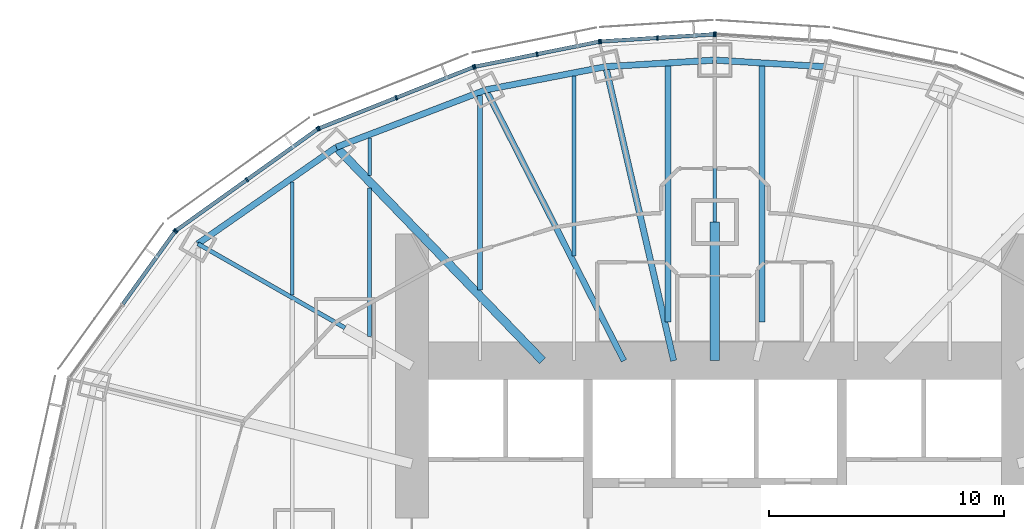
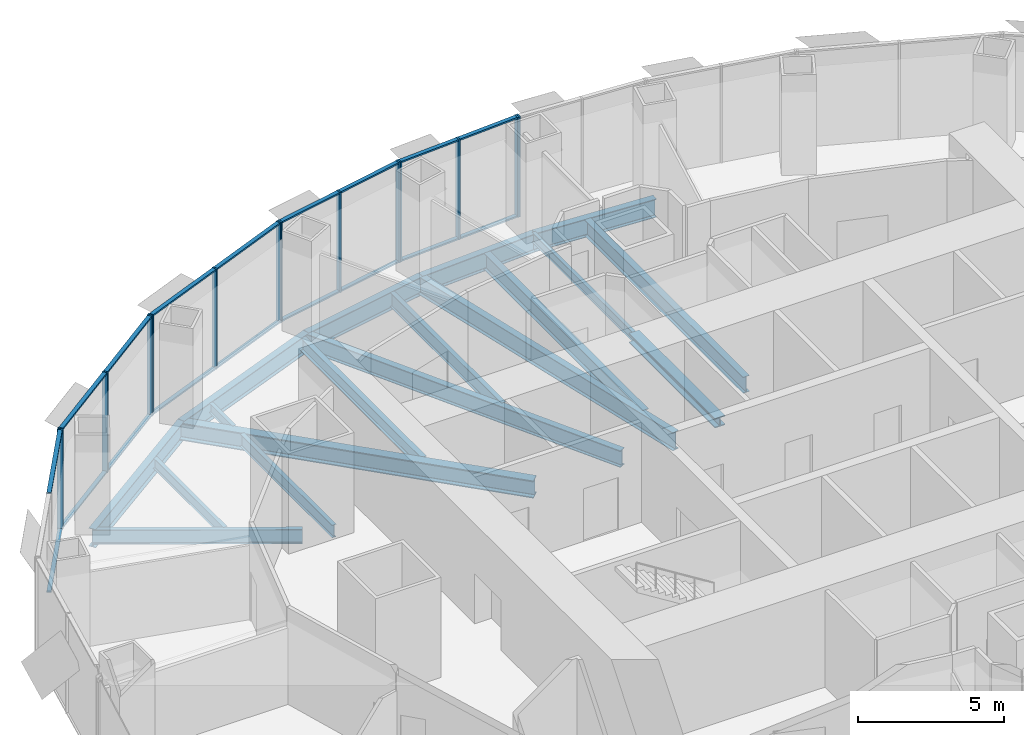
# One storey, part 7 of 17: 32 members, 18 beams, 6 elements without a shape of their own.
"""IFC4 building model written with IfcOpenShell, lengths in metres."""

from ifc_helpers import new_model, si_unit, direction, frame, origin, origin_2d, place, context, subcontext, project, spatial, rectangle, i_section, extrude, material, material_profile, profile_set, type_object, element, aggregate, save


model = new_model("IFC4")

# Units and contexts
model_context = context("Model", 3, precision=1e-05, world=origin(), true_north=direction((0.0, 1.0)))
body_context = subcontext(model_context, "Body", "Model", "MODEL_VIEW")
ifc_project = project(units=[si_unit("LENGTHUNIT", "METRE"), si_unit("AREAUNIT", "SQUARE_METRE"), si_unit("VOLUMEUNIT", "CUBIC_METRE"), si_unit("PLANEANGLEUNIT", "RADIAN"), si_unit("MASSUNIT", "GRAM", prefix="KILO")], contexts=[model_context])

# Site, building, storey
site_placement = place(None, origin())
site = spatial("IfcSite", under=ifc_project, at=site_placement, CompositionType="ELEMENT")
building_placement = place(site_placement, origin())
building = spatial("IfcBuilding", under=site, at=building_placement, Name="Lantaw Convention Tower", CompositionType="ELEMENT")
storey_placement = place(building_placement, frame((0.0, 0.0, 159.39990234375)))
storey = spatial("IfcBuildingStorey", under=building, at=storey_placement, Name="L37", CompositionType="ELEMENT", Elevation=159.39990234375)

# Beams
ifc_material_1 = material(Name="Steel ASTM A992", Category="steel")
ifc_material_profile_1 = material_profile(ifc_material_1, i_section(OverallWidth=0.2666015625, OverallDepth=0.76953125, WebThickness=0.015625, FlangeThickness=0.025390625, FilletRadius=0.0126953125, at=origin_2d()), Name="W30X132")
ifc_profile_set_1 = profile_set([ifc_material_profile_1], Name="Steel ASTM A992")
beam_type_1 = type_object("IfcBeamType", Name="Beam E W30X132", PredefinedType="SPANDREL", material=ifc_profile_set_1)
for number, where, z_axis, x_axis, name in (
    (1, (4.64501953125, 20.1201171875, -0.53466796875), (-0.998190892054, 0.06012439621, 0.0), (-0.06012439621, -0.998190892054, 0.0), "Edge beam 6"),
    (2, (0.0, 20.39990234375, -0.53466796875), (-0.998190892054, -0.06012439621, 0.0), (0.06012439621, -0.998190892054, 0.0), "Edge beam 7"),
):
    element("IfcBeam", number, at=place(storey_placement, frame(where, z_axis=z_axis, x_axis=x_axis)), inside=storey, type_object=beam_type_1, Name=name, PredefinedType="SPANDREL", context=body_context, shape_type="SweptSolid", body=[
        extrude(i_section(OverallWidth=0.2666015625, OverallDepth=0.76953125, WebThickness=0.015625, FlangeThickness=0.025390625, FilletRadius=0.0126953125, at=origin_2d()), origin(), (0.0, 0.0, 1.0), 4.6533203125),
    ])
beam_1_placement = place(storey_placement, frame((-4.64501953125, 20.1201171875, -0.53466796875), z_axis=(-0.981796805654, -0.189934284446, 0.0), x_axis=(0.189934284446, -0.981796805654, 0.0)))
element("IfcBeam", 3, at=beam_1_placement, inside=storey, type_object=beam_type_1, Name="Edge beam 8", PredefinedType="SPANDREL", context=body_context, shape_type="SweptSolid", body=[
    extrude(i_section(OverallWidth=0.2666015625, OverallDepth=0.76953125, WebThickness=0.015625, FlangeThickness=0.025390625, FilletRadius=0.0126953125, at=origin_2d()), origin(), (0.0, 0.0, 1.0), 5.1982421875),
])
beam_2_placement = place(storey_placement, frame((-9.74853515625, 19.1328125, -0.53466796875), z_axis=(-0.933691081977, -0.358079549033, 0.0), x_axis=(0.358079549033, -0.933691081977, 0.0)))
element("IfcBeam", 4, at=beam_2_placement, inside=storey, type_object=beam_type_1, Name="Edge beam 9", PredefinedType="SPANDREL", context=body_context, shape_type="SweptSolid", body=[
    extrude(i_section(OverallWidth=0.2666015625, OverallDepth=0.76953125, WebThickness=0.015625, FlangeThickness=0.025390625, FilletRadius=0.0126953125, at=origin_2d()), origin(), (0.0, 0.0, 1.0), 6.821533203125),
])
beam_3_placement = place(storey_placement, frame((-16.11767578125, 16.690185546875, -0.53466796875), z_axis=(-0.820310765287, -0.57191804339, 0.0), x_axis=(0.57191804339, -0.820310765287, 0.0)))
element("IfcBeam", 5, at=beam_3_placement, inside=storey, type_object=beam_type_1, Name="Edge beam 10", PredefinedType="SPANDREL", context=body_context, shape_type="SweptSolid", body=[
    extrude(i_section(OverallWidth=0.2666015625, OverallDepth=0.76953125, WebThickness=0.015625, FlangeThickness=0.025390625, FilletRadius=0.0126953125, at=origin_2d()), origin(), (0.0, 0.0, 1.0), 7.187744140625),
])
ifc_material_profile_2 = material_profile(ifc_material_1, i_section(OverallWidth=0.140380859375, OverallDepth=0.40380859375, WebThickness=0.007080078125, FlangeThickness=0.01123046875, FilletRadius=0.01025390625, at=origin_2d()), Name="W16X31")
ifc_profile_set_2 = profile_set([ifc_material_profile_2], Name="Steel ASTM A992")
beam_type_2 = type_object("IfcBeamType", Name="Beam G W16X31", PredefinedType="BEAM", material=ifc_profile_set_2)
beam_4_placement = place(storey_placement, frame((0.0, 13.5, -0.351806640625), z_axis=(0.0, 1.0, 0.0), x_axis=(-1.0, 0.0, 0.0)))
element("IfcBeam", 6, at=beam_4_placement, inside=storey, type_object=beam_type_2, Name="Floor girder on ray 7", PredefinedType="BEAM", context=body_context, shape_type="SweptSolid", body=[
    extrude(i_section(OverallWidth=0.140380859375, OverallDepth=0.40380859375, WebThickness=0.007080078125, FlangeThickness=0.01123046875, FilletRadius=0.01025390625, at=origin_2d()), origin(), (0.0, 0.0, 1.0), 6.89990234375),
])
ifc_material_profile_3 = material_profile(ifc_material_1, i_section(OverallWidth=0.177978515625, OverallDepth=0.599365234375, WebThickness=0.010009765625, FlangeThickness=0.012939453125, FilletRadius=0.012939453125, at=origin_2d()), Name="W24X55")
ifc_profile_set_3 = profile_set([ifc_material_profile_3], Name="Steel ASTM A992")
beam_type_3 = type_object("IfcBeamType", Name="Beam G W24X55", PredefinedType="BEAM", material=ifc_profile_set_3)
beam_5_placement = place(storey_placement, frame((-15.75, 9.0, -0.44970703125), z_axis=(-0.868245224608, 0.496135293993, 0.0), x_axis=(-0.496135293993, -0.868245224608, 0.0)))
element("IfcBeam", 7, at=beam_5_placement, inside=storey, type_object=beam_type_3, Name="Floor girder on ray 11", PredefinedType="BEAM", context=body_context, shape_type="SweptSolid", body=[
    extrude(i_section(OverallWidth=0.177978515625, OverallDepth=0.599365234375, WebThickness=0.010009765625, FlangeThickness=0.012939453125, FilletRadius=0.012939453125, at=origin_2d()), origin(), (0.0, 0.0, 1.0), 7.21435546875),
])
ifc_material_profile_4 = material_profile(ifc_material_1, i_section(OverallWidth=0.25390625, OverallDepth=0.700927734375, WebThickness=0.015380859375, FlangeThickness=0.02783203125, FilletRadius=0.01513671875, at=origin_2d()), Name="W27X129")
ifc_profile_set_4 = profile_set([ifc_material_profile_4], Name="Steel ASTM A992")
beam_type_4 = type_object("IfcBeamType", Name="Beam G W27X129", PredefinedType="BEAM", material=ifc_profile_set_4)
beam_6_placement = place(storey_placement, frame((-3.872314453125, 7.60009765625, -0.50048828125), z_axis=(-0.453991051051, 0.891006243281, 0.0), x_axis=(-0.891006243281, -0.453991051051, 0.0)))
element("IfcBeam", 8, at=beam_6_placement, inside=storey, type_object=beam_type_4, Name="Floor girder on ray 9", PredefinedType="BEAM", context=body_context, shape_type="SweptSolid", body=[
    extrude(i_section(OverallWidth=0.25390625, OverallDepth=0.700927734375, WebThickness=0.015380859375, FlangeThickness=0.02783203125, FilletRadius=0.01513671875, at=origin_2d()), origin(), (0.0, 0.0, 1.0), 12.943359375),
])
ifc_material_profile_5 = material_profile(ifc_material_1, i_section(OverallWidth=0.360595703125, OverallDepth=0.72900390625, WebThickness=0.023193359375, FlangeThickness=0.041015625, FilletRadius=0.0126953125, at=origin_2d()), Name="W27X235")
ifc_profile_set_5 = profile_set([ifc_material_profile_5], Name="Steel ASTM A992")
beam_type_5 = type_object("IfcBeamType", Name="Beam G W27X235", PredefinedType="BEAM", material=ifc_profile_set_5)
beam_7_placement = place(storey_placement, frame((-7.33935546875, 7.60009765625, -0.514404296875), z_axis=(-0.694663467407, 0.719334878239, 0.0), x_axis=(-0.719334878239, -0.694663467407, 0.0)))
element("IfcBeam", 9, at=beam_7_placement, inside=storey, type_object=beam_type_5, Name="Floor girder on ray 10", PredefinedType="BEAM", context=body_context, shape_type="SweptSolid", body=[
    extrude(i_section(OverallWidth=0.360595703125, OverallDepth=0.72900390625, WebThickness=0.023193359375, FlangeThickness=0.041015625, FilletRadius=0.0126953125, at=origin_2d()), origin(), (0.0, 0.0, 1.0), 12.63671875),
])
ifc_material_profile_6 = material_profile(ifc_material_1, i_section(OverallWidth=0.2666015625, OverallDepth=0.7568359375, WebThickness=0.013916015625, FlangeThickness=0.019287109375, FilletRadius=0.0126953125, at=origin_2d()), Name="W30X108")
ifc_profile_set_6 = profile_set([ifc_material_profile_6], Name="Steel ASTM A992")
beam_type_6 = type_object("IfcBeamType", Name="Beam G W30X108", PredefinedType="BEAM", material=ifc_profile_set_6)
beam_8_placement = place(storey_placement, frame((-1.754638671875, 7.60009765625, -0.5283203125), z_axis=(-0.224944153104, 0.974371658036, 0.0), x_axis=(-0.974371658036, -0.224944153104, 0.0)))
element("IfcBeam", 10, at=beam_8_placement, inside=storey, type_object=beam_type_6, Name="Floor girder on ray 8", PredefinedType="BEAM", context=body_context, shape_type="SweptSolid", body=[
    extrude(i_section(OverallWidth=0.2666015625, OverallDepth=0.7568359375, WebThickness=0.013916015625, FlangeThickness=0.019287109375, FilletRadius=0.0126953125, at=origin_2d()), origin(), (0.0, 0.0, 1.0), 12.849365234375),
])
ifc_material_profile_7 = material_profile(ifc_material_1, i_section(OverallWidth=0.40380859375, OverallDepth=0.406494140625, WebThickness=0.027099609375, FlangeThickness=0.043701171875, FilletRadius=0.01513671875, at=origin_2d()), Name="W14X233")
ifc_profile_set_7 = profile_set([ifc_material_profile_7], Name="Steel ASTM A992")
beam_type_7 = type_object("IfcBeamType", Name="Beam GM W14X233", PredefinedType="BEAM", material=ifc_profile_set_7)
beam_9_placement = place(storey_placement, frame((0.0, 7.60009765625, -0.35302734375), z_axis=(0.0, 1.0, 0.0), x_axis=(-1.0, 0.0, 0.0)))
element("IfcBeam", 11, at=beam_9_placement, inside=storey, type_object=beam_type_7, Name="Core link beam on ray 7", PredefinedType="BEAM", context=body_context, shape_type="SweptSolid", body=[
    extrude(i_section(OverallWidth=0.40380859375, OverallDepth=0.406494140625, WebThickness=0.027099609375, FlangeThickness=0.043701171875, FilletRadius=0.01513671875, at=origin_2d()), origin(), (0.0, 0.0, 1.0), 5.89990234375),
])
ifc_material_profile_8 = material_profile(ifc_material_1, i_section(OverallWidth=0.140380859375, OverallDepth=0.40380859375, WebThickness=0.007080078125, FlangeThickness=0.01123046875, FilletRadius=0.01025390625, at=origin_2d()), Name="W16X31")
ifc_profile_set_8 = profile_set([ifc_material_profile_8], Name="Steel ASTM A992")
beam_type_8 = type_object("IfcBeamType", Name="Beam J W16X31", PredefinedType="JOIST", material=ifc_profile_set_8)
beam_10_placement = place(storey_placement, frame((-14.699951171875, 15.48193359375, -0.351806640625), z_axis=(0.0, 1.0, 0.0), x_axis=(-1.0, 0.0, 0.0)))
element("IfcBeam", 12, at=beam_10_placement, inside=storey, type_object=beam_type_8, Name="Floor joist", PredefinedType="JOIST", context=body_context, shape_type="SweptSolid", body=[
    extrude(i_section(OverallWidth=0.140380859375, OverallDepth=0.40380859375, WebThickness=0.007080078125, FlangeThickness=0.01123046875, FilletRadius=0.01025390625, at=origin_2d()), origin(), (0.0, 0.0, 1.0), 1.609130859375),
])
ifc_material_profile_9 = material_profile(ifc_material_1, i_section(OverallWidth=0.15234375, OverallDepth=0.449462890625, WebThickness=0.007568359375, FlangeThickness=0.0107421875, FilletRadius=0.01025390625, at=origin_2d()), Name="W18X35")
ifc_profile_set_9 = profile_set([ifc_material_profile_9], Name="Steel ASTM A992")
beam_type_9 = type_object("IfcBeamType", Name="Beam J W18X35", PredefinedType="JOIST", material=ifc_profile_set_9)
beam_11_placement = place(storey_placement, frame((-18.0, 10.38818359375, -0.374755859375), z_axis=(0.0, 1.0, 0.0), x_axis=(-1.0, 0.0, 0.0)))
element("IfcBeam", 13, at=beam_11_placement, inside=storey, type_object=beam_type_9, Name="Floor joist", PredefinedType="JOIST", context=body_context, shape_type="SweptSolid", body=[
    extrude(i_section(OverallWidth=0.15234375, OverallDepth=0.449462890625, WebThickness=0.007568359375, FlangeThickness=0.0107421875, FilletRadius=0.01025390625, at=origin_2d()), origin(), (0.0, 0.0, 1.0), 4.8271484375),
])
ifc_material_profile_10 = material_profile(ifc_material_1, i_section(OverallWidth=0.1650390625, OverallDepth=0.52587890625, WebThickness=0.0087890625, FlangeThickness=0.011474609375, FilletRadius=0.0126953125, at=origin_2d()), Name="W21X44")
ifc_profile_set_10 = profile_set([ifc_material_profile_10], Name="Steel ASTM A992")
beam_type_10 = type_object("IfcBeamType", Name="Beam J W21X44", PredefinedType="JOIST", material=ifc_profile_set_10)
beam_12_placement = place(storey_placement, frame((-14.699951171875, 8.632568359375, -0.412841796875), z_axis=(0.0, 1.0, 0.0), x_axis=(-1.0, 0.0, 0.0)))
element("IfcBeam", 14, at=beam_12_placement, inside=storey, type_object=beam_type_10, Name="Floor joist", PredefinedType="JOIST", context=body_context, shape_type="SweptSolid", body=[
    extrude(i_section(OverallWidth=0.1650390625, OverallDepth=0.52587890625, WebThickness=0.0087890625, FlangeThickness=0.011474609375, FilletRadius=0.0126953125, at=origin_2d()), origin(), (0.0, 0.0, 1.0), 6.330078125),
])
ifc_material_profile_11 = material_profile(ifc_material_1, i_section(OverallWidth=0.2099609375, OverallDepth=0.535888671875, WebThickness=0.010986328125, FlangeThickness=0.017333984375, FilletRadius=0.012939453125, at=origin_2d()), Name="W21X68")
ifc_profile_set_11 = profile_set([ifc_material_profile_11], Name="Steel ASTM A992")
beam_type_11 = type_object("IfcBeamType", Name="Beam J W21X68", PredefinedType="JOIST", material=ifc_profile_set_11)
beam_13_placement = place(storey_placement, frame((-10.0, 10.614990234375, -0.41796875), z_axis=(0.0, 1.0, 0.0), x_axis=(-1.0, 0.0, 0.0)))
element("IfcBeam", 15, at=beam_13_placement, inside=storey, type_object=beam_type_11, Name="Floor joist", PredefinedType="JOIST", context=body_context, shape_type="SweptSolid", body=[
    extrude(i_section(OverallWidth=0.2099609375, OverallDepth=0.535888671875, WebThickness=0.010986328125, FlangeThickness=0.017333984375, FilletRadius=0.012939453125, at=origin_2d()), origin(), (0.0, 0.0, 1.0), 8.278564453125),
])
ifc_material_profile_12 = material_profile(ifc_material_1, i_section(OverallWidth=0.177978515625, OverallDepth=0.599365234375, WebThickness=0.010009765625, FlangeThickness=0.012939453125, FilletRadius=0.012939453125, at=origin_2d()), Name="W24X55")
ifc_profile_set_12 = profile_set([ifc_material_profile_12], Name="Steel ASTM A992")
beam_type_12 = type_object("IfcBeamType", Name="Beam J W24X55", PredefinedType="JOIST", material=ifc_profile_set_12)
beam_14_placement = place(storey_placement, frame((-6.0, 12.055419921875, -0.44970703125), z_axis=(0.0, 1.0, 0.0), x_axis=(-1.0, 0.0, 0.0)))
element("IfcBeam", 16, at=beam_14_placement, inside=storey, type_object=beam_type_12, Name="Floor joist", PredefinedType="JOIST", context=body_context, shape_type="SweptSolid", body=[
    extrude(i_section(OverallWidth=0.177978515625, OverallDepth=0.599365234375, WebThickness=0.010009765625, FlangeThickness=0.012939453125, FilletRadius=0.012939453125, at=origin_2d()), origin(), (0.0, 0.0, 1.0), 7.666748046875),
])
ifc_material_profile_13 = material_profile(ifc_material_1, i_section(OverallWidth=0.25390625, OverallDepth=0.683349609375, WebThickness=0.012451171875, FlangeThickness=0.01904296875, FilletRadius=0.01513671875, at=origin_2d()), Name="W27X94")
ifc_profile_set_13 = profile_set([ifc_material_profile_13], Name="Steel ASTM A992")
beam_type_13 = type_object("IfcBeamType", Name="Beam J W27X94", PredefinedType="JOIST", material=ifc_profile_set_13)
for number, where, z_axis, x_axis, name in (
    (17, (-2.0, 9.255859375, -0.491455078125), (0.0, 1.0, 0.0), (-1.0, 0.0, 0.0), "Floor joist"),
    (18, (2.0, 9.255859375, -0.491455078125), (0.0, 1.0, 0.0), (-1.0, 0.0, 0.0), "Floor joist"),
):
    element("IfcBeam", number, at=place(storey_placement, frame(where, z_axis=z_axis, x_axis=x_axis)), inside=storey, type_object=beam_type_13, Name=name, PredefinedType="JOIST", context=body_context, shape_type="SweptSolid", body=[
        extrude(i_section(OverallWidth=0.25390625, OverallDepth=0.683349609375, WebThickness=0.012451171875, FlangeThickness=0.01904296875, FilletRadius=0.01513671875, at=origin_2d()), origin(), (0.0, 0.0, 1.0), 10.889892578125),
    ])

# Curtain wall, member
ifc_material_2 = material(Name="Aluminium framed curtain wall", Category="aluminium")
curtain_wall_type = type_object("IfcCurtainWallType", Name="Office curtain wall low rise, pale aluminium", PredefinedType="USERDEFINED", material=ifc_material_2)
curtain_wall_1_placement = place(storey_placement, origin())
curtain_wall_1 = element("IfcCurtainWall", 19, at=curtain_wall_1_placement, inside=storey, type_object=curtain_wall_type, Name="Office curtain wall low rise, pale aluminium L37", ObjectType="UNITISED CURTAIN WALL", PredefinedType="USERDEFINED")
ifc_material_3 = material(Name="Aluminium 6063-T6", Category="aluminium")
ifc_material_profile_14 = material_profile(ifc_material_3, rectangle(XDim=0.199951171875, YDim=0.06494140625, at=origin_2d()), Name="CW-O1 mullion 65x200")
ifc_profile_set_14 = profile_set([ifc_material_profile_14], Name="Aluminium 6063-T6")
member_type_1 = type_object("IfcMemberType", Name="CW-O1 mullion 65x200", PredefinedType="MULLION", material=ifc_profile_set_14)
member_1_placement = place(storey_placement, frame((0.032470703125, 21.498046875, -0.14990234375), z_axis=(0.0, 0.0, 1.0), x_axis=(-0.062865059466, -0.998022035978, 0.0)))
member_1 = element("IfcMember", 20, at=member_1_placement, type_object=member_type_1, Name="CW-O1 mullion 3", PredefinedType="MULLION", context=body_context, shape_type="SweptSolid", body=[
    extrude(rectangle(XDim=0.199951171875, YDim=0.06494140625, at=origin_2d()), origin(), (0.0, 0.0, 1.0), 4.199951171875),
])
aggregate(curtain_wall_1, [member_1])

# Curtain wall, members
curtain_wall_2_placement = place(storey_placement, origin())
curtain_wall_2 = element("IfcCurtainWall", 21, at=curtain_wall_2_placement, inside=storey, type_object=curtain_wall_type, Name="Office curtain wall low rise, pale aluminium L37", ObjectType="UNITISED CURTAIN WALL", PredefinedType="USERDEFINED")
member_2_placement = place(storey_placement, frame((-0.032470703125, 21.498046875, -0.14990234375), z_axis=(0.0, 0.0, 1.0), x_axis=(0.062865059466, -0.998022035978, 0.0)))
member_2 = element("IfcMember", 22, at=member_2_placement, type_object=member_type_1, Name="CW-O1 mullion 1", PredefinedType="MULLION", context=body_context, shape_type="SweptSolid", body=[
    extrude(rectangle(XDim=0.199951171875, YDim=0.06494140625, at=origin_2d()), origin(), (0.0, 0.0, 1.0), 4.199951171875),
])
member_3_placement = place(storey_placement, frame((-2.4462890625, 21.345947265625, -0.14990234375), z_axis=(0.0, 0.0, 1.0), x_axis=(0.062865059466, -0.998022035978, 0.0)))
member_3 = element("IfcMember", 23, at=member_3_placement, type_object=member_type_1, Name="CW-O1 mullion 2", PredefinedType="MULLION", context=body_context, shape_type="SweptSolid", body=[
    extrude(rectangle(XDim=0.199951171875, YDim=0.06494140625, at=origin_2d()), origin(), (0.0, 0.0, 1.0), 4.199951171875),
])
member_4_placement = place(storey_placement, frame((-4.860107421875, 21.19384765625, -0.14990234375), z_axis=(0.0, 0.0, 1.0), x_axis=(0.062865059466, -0.998022035978, 0.0)))
member_4 = element("IfcMember", 24, at=member_4_placement, type_object=member_type_1, Name="CW-O1 mullion 3", PredefinedType="MULLION", context=body_context, shape_type="SweptSolid", body=[
    extrude(rectangle(XDim=0.199951171875, YDim=0.06494140625, at=origin_2d()), origin(), (0.0, 0.0, 1.0), 4.199951171875),
])

curtain_wall_3_placement = place(storey_placement, origin())
curtain_wall_3 = element("IfcCurtainWall", 25, at=curtain_wall_3_placement, inside=storey, type_object=curtain_wall_type, Name="Office curtain wall low rise, pale aluminium L37", ObjectType="UNITISED CURTAIN WALL", PredefinedType="USERDEFINED")
member_5_placement = place(storey_placement, frame((-4.92431640625, 21.185302734375, -0.14990234375), z_axis=(0.0, 0.0, 1.0), x_axis=(0.197506809659, -0.980301514912, 0.0)))
member_5 = element("IfcMember", 26, at=member_5_placement, type_object=member_type_1, Name="CW-O1 mullion 1", PredefinedType="MULLION", context=body_context, shape_type="SweptSolid", body=[
    extrude(rectangle(XDim=0.199951171875, YDim=0.06494140625, at=origin_2d()), origin(), (0.0, 0.0, 1.0), 4.199951171875),
])
member_6_placement = place(storey_placement, frame((-7.5703125, 20.65234375, -0.14990234375), z_axis=(0.0, 0.0, 1.0), x_axis=(0.197506809659, -0.980301514912, 0.0)))
member_6 = element("IfcMember", 27, at=member_6_placement, type_object=member_type_1, Name="CW-O1 mullion 2", PredefinedType="MULLION", context=body_context, shape_type="SweptSolid", body=[
    extrude(rectangle(XDim=0.199951171875, YDim=0.06494140625, at=origin_2d()), origin(), (0.0, 0.0, 1.0), 4.199951171875),
])
member_7_placement = place(storey_placement, frame((-10.216064453125, 20.119140625, -0.14990234375), z_axis=(0.0, 0.0, 1.0), x_axis=(0.197506809659, -0.980301514912, 0.0)))
member_7 = element("IfcMember", 28, at=member_7_placement, type_object=member_type_1, Name="CW-O1 mullion 3", PredefinedType="MULLION", context=body_context, shape_type="SweptSolid", body=[
    extrude(rectangle(XDim=0.199951171875, YDim=0.06494140625, at=origin_2d()), origin(), (0.0, 0.0, 1.0), 4.199951171875),
])

curtain_wall_4_placement = place(storey_placement, origin())
curtain_wall_4 = element("IfcCurtainWall", 29, at=curtain_wall_4_placement, inside=storey, type_object=curtain_wall_type, Name="Office curtain wall low rise, pale aluminium L37", ObjectType="UNITISED CURTAIN WALL", PredefinedType="USERDEFINED")
member_8_placement = place(storey_placement, frame((-10.2783203125, 20.100830078125, -0.14990234375), z_axis=(0.0, 0.0, 1.0), x_axis=(0.368701907483, -0.929547687544, 0.0)))
member_8 = element("IfcMember", 30, at=member_8_placement, type_object=member_type_1, Name="CW-O1 mullion 1", PredefinedType="MULLION", context=body_context, shape_type="SweptSolid", body=[
    extrude(rectangle(XDim=0.199951171875, YDim=0.06494140625, at=origin_2d()), origin(), (0.0, 0.0, 1.0), 4.199951171875),
])
member_9_placement = place(storey_placement, frame((-13.56494140625, 18.797119140625, -0.14990234375), z_axis=(0.0, 0.0, 1.0), x_axis=(0.368701907483, -0.929547687544, 0.0)))
member_9 = element("IfcMember", 31, at=member_9_placement, type_object=member_type_1, Name="CW-O1 mullion 2", PredefinedType="MULLION", context=body_context, shape_type="SweptSolid", body=[
    extrude(rectangle(XDim=0.199951171875, YDim=0.06494140625, at=origin_2d()), origin(), (0.0, 0.0, 1.0), 4.199951171875),
])
member_10_placement = place(storey_placement, frame((-16.8515625, 17.49365234375, -0.14990234375), z_axis=(0.0, 0.0, 1.0), x_axis=(0.368701907483, -0.929547687544, 0.0)))
member_10 = element("IfcMember", 32, at=member_10_placement, type_object=member_type_1, Name="CW-O1 mullion 3", PredefinedType="MULLION", context=body_context, shape_type="SweptSolid", body=[
    extrude(rectangle(XDim=0.199951171875, YDim=0.06494140625, at=origin_2d()), origin(), (0.0, 0.0, 1.0), 4.199951171875),
])

curtain_wall_5_placement = place(storey_placement, origin())
curtain_wall_5 = element("IfcCurtainWall", 33, at=curtain_wall_5_placement, inside=storey, type_object=curtain_wall_type, Name="Office curtain wall low rise, pale aluminium L37", ObjectType="UNITISED CURTAIN WALL", PredefinedType="USERDEFINED")
member_11_placement = place(storey_placement, frame((-16.908203125, 17.462646484375, -0.14990234375), z_axis=(0.0, 0.0, 1.0), x_axis=(0.581972695693, -0.813208325995, 0.0)))
member_11 = element("IfcMember", 34, at=member_11_placement, type_object=member_type_1, Name="CW-O1 mullion 1", PredefinedType="MULLION", context=body_context, shape_type="SweptSolid", body=[
    extrude(rectangle(XDim=0.199951171875, YDim=0.06494140625, at=origin_2d()), origin(), (0.0, 0.0, 1.0), 4.199951171875),
])
member_12_placement = place(storey_placement, frame((-19.92529296875, 15.303466796875, -0.14990234375), z_axis=(0.0, 0.0, 1.0), x_axis=(0.581972695693, -0.813208325995, 0.0)))
member_12 = element("IfcMember", 35, at=member_12_placement, type_object=member_type_1, Name="CW-O1 mullion 2", PredefinedType="MULLION", context=body_context, shape_type="SweptSolid", body=[
    extrude(rectangle(XDim=0.199951171875, YDim=0.06494140625, at=origin_2d()), origin(), (0.0, 0.0, 1.0), 4.199951171875),
])
member_13_placement = place(storey_placement, frame((-22.942626953125, 13.14404296875, -0.14990234375), z_axis=(0.0, 0.0, 1.0), x_axis=(0.581972695693, -0.813208325995, 0.0)))
member_13 = element("IfcMember", 36, at=member_13_placement, type_object=member_type_1, Name="CW-O1 mullion 3", PredefinedType="MULLION", context=body_context, shape_type="SweptSolid", body=[
    extrude(rectangle(XDim=0.199951171875, YDim=0.06494140625, at=origin_2d()), origin(), (0.0, 0.0, 1.0), 4.199951171875),
])

# Curtain wall, member
curtain_wall_6_placement = place(storey_placement, origin())
curtain_wall_6 = element("IfcCurtainWall", 37, at=curtain_wall_6_placement, inside=storey, type_object=curtain_wall_type, Name="Office curtain wall low rise, pale aluminium L37", ObjectType="UNITISED CURTAIN WALL", PredefinedType="USERDEFINED")
member_14_placement = place(storey_placement, frame((-22.988037109375, 13.098876953125, -0.14990234375), z_axis=(0.0, 0.0, 1.0), x_axis=(0.811384633629, -0.584512597221, 0.0)))
member_14 = element("IfcMember", 38, at=member_14_placement, type_object=member_type_1, Name="CW-O1 mullion 1", PredefinedType="MULLION", context=body_context, shape_type="SweptSolid", body=[
    extrude(rectangle(XDim=0.199951171875, YDim=0.06494140625, at=origin_2d()), origin(), (0.0, 0.0, 1.0), 4.199951171875),
])

# Member
ifc_material_profile_15 = material_profile(ifc_material_3, rectangle(XDim=0.159912109375, YDim=0.06494140625, at=origin_2d()), Name="CW-O1 transom 65x160")
ifc_profile_set_15 = profile_set([ifc_material_profile_15], Name="Aluminium 6063-T6")
member_type_2 = type_object("IfcMemberType", Name="CW-O1 transom 65x160", PredefinedType="USERDEFINED", material=ifc_profile_set_15)
member_15_placement = place(storey_placement, frame((-0.06494140625, 21.495849609375, -0.117431640625), z_axis=(-0.998022188463, -0.062862638625, 0.0), x_axis=(0.062862638625, -0.998022188463, 0.0)))
member_15 = element("IfcMember", 39, at=member_15_placement, type_object=member_type_2, Name="CW-O1 transom 1.1", ObjectType="TRANSOM", PredefinedType="USERDEFINED", context=body_context, shape_type="SweptSolid", body=[
    extrude(rectangle(XDim=0.159912109375, YDim=0.06494140625, at=origin_2d()), origin(), (0.0, 0.0, 1.0), 2.353515625),
])

member_16_placement = place(storey_placement, frame((-0.06494140625, 21.495849609375, 4.017578125), z_axis=(-0.998022188463, -0.062862638625, 0.0), x_axis=(0.062862638625, -0.998022188463, 0.0)))
member_16 = element("IfcMember", 40, at=member_16_placement, type_object=member_type_2, Name="CW-O1 transom 1.2", ObjectType="TRANSOM", PredefinedType="USERDEFINED", context=body_context, shape_type="SweptSolid", body=[
    extrude(rectangle(XDim=0.159912109375, YDim=0.06494140625, at=origin_2d()), origin(), (0.0, 0.0, 1.0), 2.353515625),
])

member_17_placement = place(storey_placement, frame((-2.478759765625, 21.34375, -0.117431640625), z_axis=(-0.998022188463, -0.062862638625, 0.0), x_axis=(0.062862638625, -0.998022188463, 0.0)))
member_17 = element("IfcMember", 41, at=member_17_placement, type_object=member_type_2, Name="CW-O1 transom 2.1", ObjectType="TRANSOM", PredefinedType="USERDEFINED", context=body_context, shape_type="SweptSolid", body=[
    extrude(rectangle(XDim=0.159912109375, YDim=0.06494140625, at=origin_2d()), origin(), (0.0, 0.0, 1.0), 2.353515625),
])

member_18_placement = place(storey_placement, frame((-2.478759765625, 21.34375, 4.017578125), z_axis=(-0.998022188463, -0.062862638625, 0.0), x_axis=(0.062862638625, -0.998022188463, 0.0)))
member_18 = element("IfcMember", 42, at=member_18_placement, type_object=member_type_2, Name="CW-O1 transom 2.2", ObjectType="TRANSOM", PredefinedType="USERDEFINED", context=body_context, shape_type="SweptSolid", body=[
    extrude(rectangle(XDim=0.159912109375, YDim=0.06494140625, at=origin_2d()), origin(), (0.0, 0.0, 1.0), 2.353515625),
])

aggregate(curtain_wall_2, [member_2, member_3, member_4, member_15, member_16, member_17, member_18])

member_19_placement = place(storey_placement, frame((-4.956298828125, 21.178955078125, -0.117431640625), z_axis=(-0.980298027092, -0.197524120247, 0.0), x_axis=(0.197524120247, -0.980298027092, 0.0)))
member_19 = element("IfcMember", 43, at=member_19_placement, type_object=member_type_2, Name="CW-O1 transom 1.1", ObjectType="TRANSOM", PredefinedType="USERDEFINED", context=body_context, shape_type="SweptSolid", body=[
    extrude(rectangle(XDim=0.159912109375, YDim=0.06494140625, at=origin_2d()), origin(), (0.0, 0.0, 1.0), 2.634033203125),
])

member_20_placement = place(storey_placement, frame((-4.956298828125, 21.178955078125, 4.017578125), z_axis=(-0.980298027092, -0.197524120247, 0.0), x_axis=(0.197524120247, -0.980298027092, 0.0)))
member_20 = element("IfcMember", 44, at=member_20_placement, type_object=member_type_2, Name="CW-O1 transom 1.2", ObjectType="TRANSOM", PredefinedType="USERDEFINED", context=body_context, shape_type="SweptSolid", body=[
    extrude(rectangle(XDim=0.159912109375, YDim=0.06494140625, at=origin_2d()), origin(), (0.0, 0.0, 1.0), 2.634033203125),
])

member_21_placement = place(storey_placement, frame((-7.60205078125, 20.64599609375, -0.117431640625), z_axis=(-0.980301643003, -0.197506173891, 0.0), x_axis=(0.197506173891, -0.980301643003, 0.0)))
member_21 = element("IfcMember", 45, at=member_21_placement, type_object=member_type_2, Name="CW-O1 transom 2.1", ObjectType="TRANSOM", PredefinedType="USERDEFINED", context=body_context, shape_type="SweptSolid", body=[
    extrude(rectangle(XDim=0.159912109375, YDim=0.06494140625, at=origin_2d()), origin(), (0.0, 0.0, 1.0), 2.63427734375),
])

member_22_placement = place(storey_placement, frame((-7.60205078125, 20.64599609375, 4.017578125), z_axis=(-0.980301643003, -0.197506173891, 0.0), x_axis=(0.197506173891, -0.980301643003, 0.0)))
member_22 = element("IfcMember", 46, at=member_22_placement, type_object=member_type_2, Name="CW-O1 transom 2.2", ObjectType="TRANSOM", PredefinedType="USERDEFINED", context=body_context, shape_type="SweptSolid", body=[
    extrude(rectangle(XDim=0.159912109375, YDim=0.06494140625, at=origin_2d()), origin(), (0.0, 0.0, 1.0), 2.63427734375),
])

aggregate(curtain_wall_3, [member_5, member_6, member_7, member_19, member_20, member_21, member_22])

member_23_placement = place(storey_placement, frame((-10.308349609375, 20.0888671875, -0.117431640625), z_axis=(-0.929540081544, -0.368721082668, 0.0), x_axis=(0.368721082668, -0.929540081544, 0.0)))
member_23 = element("IfcMember", 47, at=member_23_placement, type_object=member_type_2, Name="CW-O1 transom 1.1", ObjectType="TRANSOM", PredefinedType="USERDEFINED", context=body_context, shape_type="SweptSolid", body=[
    extrude(rectangle(XDim=0.159912109375, YDim=0.06494140625, at=origin_2d()), origin(), (0.0, 0.0, 1.0), 3.470947265625),
])

member_24_placement = place(storey_placement, frame((-10.308349609375, 20.0888671875, 4.017578125), z_axis=(-0.929540081544, -0.368721082668, 0.0), x_axis=(0.368721082668, -0.929540081544, 0.0)))
member_24 = element("IfcMember", 48, at=member_24_placement, type_object=member_type_2, Name="CW-O1 transom 1.2", ObjectType="TRANSOM", PredefinedType="USERDEFINED", context=body_context, shape_type="SweptSolid", body=[
    extrude(rectangle(XDim=0.159912109375, YDim=0.06494140625, at=origin_2d()), origin(), (0.0, 0.0, 1.0), 3.470947265625),
])

member_25_placement = place(storey_placement, frame((-13.594970703125, 18.78515625, -0.117431640625), z_axis=(-0.929564188507, -0.368660303592, 0.0), x_axis=(0.368660303592, -0.929564188507, 0.0)))
member_25 = element("IfcMember", 49, at=member_25_placement, type_object=member_type_2, Name="CW-O1 transom 2.1", ObjectType="TRANSOM", PredefinedType="USERDEFINED", context=body_context, shape_type="SweptSolid", body=[
    extrude(rectangle(XDim=0.159912109375, YDim=0.06494140625, at=origin_2d()), origin(), (0.0, 0.0, 1.0), 3.470703125),
])

member_26_placement = place(storey_placement, frame((-13.594970703125, 18.78515625, 4.017578125), z_axis=(-0.929564188507, -0.368660303592, 0.0), x_axis=(0.368660303592, -0.929564188507, 0.0)))
member_26 = element("IfcMember", 50, at=member_26_placement, type_object=member_type_2, Name="CW-O1 transom 2.2", ObjectType="TRANSOM", PredefinedType="USERDEFINED", context=body_context, shape_type="SweptSolid", body=[
    extrude(rectangle(XDim=0.159912109375, YDim=0.06494140625, at=origin_2d()), origin(), (0.0, 0.0, 1.0), 3.470703125),
])

aggregate(curtain_wall_4, [member_8, member_9, member_10, member_23, member_24, member_25, member_26])

member_27_placement = place(storey_placement, frame((-16.9345703125, 17.44384765625, -0.117431640625), z_axis=(-0.813190089133, -0.581998177777, 0.0), x_axis=(0.581998177777, -0.813190089133, 0.0)))
member_27 = element("IfcMember", 51, at=member_27_placement, type_object=member_type_2, Name="CW-O1 transom 1.1", ObjectType="TRANSOM", PredefinedType="USERDEFINED", context=body_context, shape_type="SweptSolid", body=[
    extrude(rectangle(XDim=0.159912109375, YDim=0.06494140625, at=origin_2d()), origin(), (0.0, 0.0, 1.0), 3.645263671875),
])

member_28_placement = place(storey_placement, frame((-16.9345703125, 17.44384765625, 4.017578125), z_axis=(-0.813190089133, -0.581998177777, 0.0), x_axis=(0.581998177777, -0.813190089133, 0.0)))
member_28 = element("IfcMember", 52, at=member_28_placement, type_object=member_type_2, Name="CW-O1 transom 1.2", ObjectType="TRANSOM", PredefinedType="USERDEFINED", context=body_context, shape_type="SweptSolid", body=[
    extrude(rectangle(XDim=0.159912109375, YDim=0.06494140625, at=origin_2d()), origin(), (0.0, 0.0, 1.0), 3.645263671875),
])

member_29_placement = place(storey_placement, frame((-19.951904296875, 15.284423828125, -0.117431640625), z_axis=(-0.813221785972, -0.581953887194, 0.0), x_axis=(0.581953887194, -0.813221785972, 0.0)))
member_29 = element("IfcMember", 53, at=member_29_placement, type_object=member_type_2, Name="CW-O1 transom 2.1", ObjectType="TRANSOM", PredefinedType="USERDEFINED", context=body_context, shape_type="SweptSolid", body=[
    extrude(rectangle(XDim=0.159912109375, YDim=0.06494140625, at=origin_2d()), origin(), (0.0, 0.0, 1.0), 3.645263671875),
])

member_30_placement = place(storey_placement, frame((-19.951904296875, 15.284423828125, 4.017578125), z_axis=(-0.813221785972, -0.581953887194, 0.0), x_axis=(0.581953887194, -0.813221785972, 0.0)))
member_30 = element("IfcMember", 54, at=member_30_placement, type_object=member_type_2, Name="CW-O1 transom 2.2", ObjectType="TRANSOM", PredefinedType="USERDEFINED", context=body_context, shape_type="SweptSolid", body=[
    extrude(rectangle(XDim=0.159912109375, YDim=0.06494140625, at=origin_2d()), origin(), (0.0, 0.0, 1.0), 3.645263671875),
])

aggregate(curtain_wall_5, [member_11, member_12, member_13, member_27, member_28, member_29, member_30])

member_31_placement = place(storey_placement, frame((-23.007080078125, 13.072509765625, -0.117431640625), z_axis=(-0.584512973979, -0.811384362217, 0.0), x_axis=(0.811384362217, -0.584512973979, 0.0)))
member_31 = element("IfcMember", 55, at=member_31_placement, type_object=member_type_2, Name="CW-O1 transom 1.1", ObjectType="TRANSOM", PredefinedType="USERDEFINED", context=body_context, shape_type="SweptSolid", body=[
    extrude(rectangle(XDim=0.159912109375, YDim=0.06494140625, at=origin_2d()), origin(), (0.0, 0.0, 1.0), 3.767578125),
])

member_32_placement = place(storey_placement, frame((-23.007080078125, 13.072509765625, 4.017578125), z_axis=(-0.584512973979, -0.811384362217, 0.0), x_axis=(0.811384362217, -0.584512973979, 0.0)))
member_32 = element("IfcMember", 56, at=member_32_placement, type_object=member_type_2, Name="CW-O1 transom 1.2", ObjectType="TRANSOM", PredefinedType="USERDEFINED", context=body_context, shape_type="SweptSolid", body=[
    extrude(rectangle(XDim=0.159912109375, YDim=0.06494140625, at=origin_2d()), origin(), (0.0, 0.0, 1.0), 3.767578125),
])

aggregate(curtain_wall_6, [member_14, member_31, member_32])

save(model, "model.ifc")
